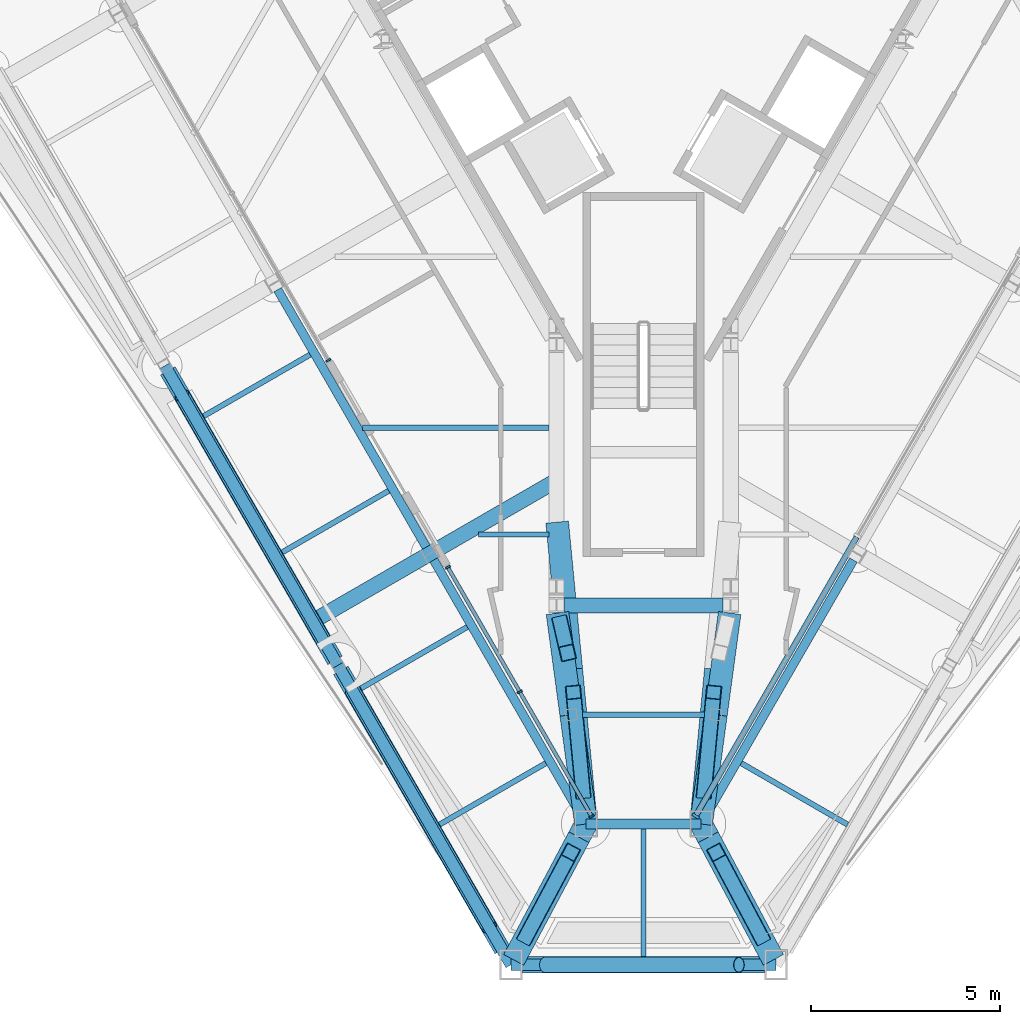
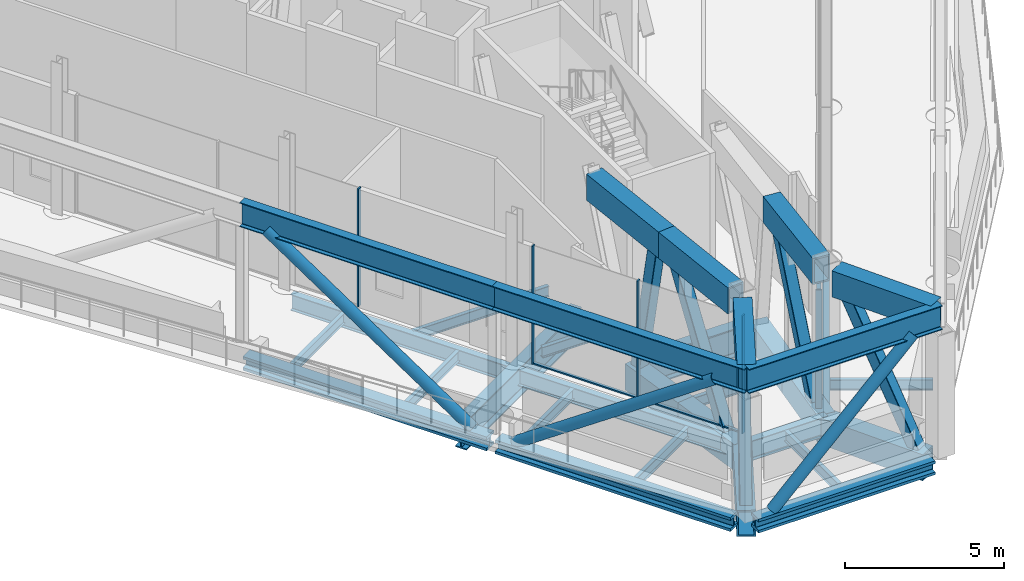
# One storey, part 5 of 25: 32 beams, 16 members, 3 elements without a shape of their own.
"""IFC4 building model written with IfcOpenShell, lengths in metres."""

from ifc_helpers import new_model, si_unit, direction, frame, origin, origin_2d, place, context, subcontext, project, spatial, rectangle, hollow_rectangle, hollow_circle, i_section, extrude, material, material_profile, profile_set, type_object, element, aggregate, save


model = new_model("IFC4")

# Units and contexts
model_context = context("Model", 3, precision=1e-05, world=origin(), true_north=direction((0.0, 1.0)))
body_context = subcontext(model_context, "Body", "Model", "MODEL_VIEW")
ifc_project = project(units=[si_unit("LENGTHUNIT", "METRE"), si_unit("AREAUNIT", "SQUARE_METRE"), si_unit("VOLUMEUNIT", "CUBIC_METRE"), si_unit("PLANEANGLEUNIT", "RADIAN"), si_unit("MASSUNIT", "GRAM", prefix="KILO")], contexts=[model_context])

# Site, building, storey
site_placement = place(None, origin())
site = spatial("IfcSite", under=ifc_project, at=site_placement, CompositionType="ELEMENT")
building_placement = place(site_placement, origin())
building = spatial("IfcBuilding", under=site, at=building_placement, Name="Verrane Prism Tower", CompositionType="ELEMENT")
storey_placement = place(building_placement, frame((0.0, 0.0, 258.199951171875)))
storey = spatial("IfcBuildingStorey", under=building, at=storey_placement, Name="L65", CompositionType="ELEMENT", Elevation=258.199951171875)

# Beams
ifc_material_1 = material(Name="Steel A992", Category="steel")
ifc_material_profile_1 = material_profile(ifc_material_1, i_section(OverallWidth=0.44189453125, OverallDepth=0.53076171875, WebThickness=0.06591796875, FlangeThickness=0.105712890625, FilletRadius=0.01513671875, at=origin_2d()), Name="W14x605")
ifc_profile_set_1 = profile_set([ifc_material_profile_1], Name="Steel A992")
beam_type_1 = type_object("IfcBeamType", Name="Belt truss chord W14x605", PredefinedType="BEAM", material=ifc_profile_set_1)
beam_1_placement = place(storey_placement, frame((-12.563720703125, -12.701904296875, -0.424560546875), z_axis=(0.500260093954, -0.865875186385, 0.0), x_axis=(0.865875186385, 0.500260093954, 0.0)))
element("IfcBeam", 1, at=beam_1_placement, inside=storey, type_object=beam_type_1, Name="Belt truss chord L65", PredefinedType="BEAM", context=body_context, shape_type="SweptSolid", body=[
    extrude(i_section(OverallWidth=0.44189453125, OverallDepth=0.53076171875, WebThickness=0.06591796875, FlangeThickness=0.105712890625, FilletRadius=0.01513671875, at=origin_2d()), origin(), (0.0, 0.0, 1.0), 8.830322265625),
])
beam_2_placement = place(storey_placement, frame((-7.993896484375, -20.612060546875, -0.424560546875), z_axis=(0.500268050635, -0.865870589357, 0.0), x_axis=(0.865870589357, 0.500268050635, 0.0)))
element("IfcBeam", 2, at=beam_2_placement, inside=storey, type_object=beam_type_1, Name="Belt truss chord L65", PredefinedType="BEAM", context=body_context, shape_type="SweptSolid", body=[
    extrude(i_section(OverallWidth=0.44189453125, OverallDepth=0.53076171875, WebThickness=0.06591796875, FlangeThickness=0.105712890625, FilletRadius=0.01513671875, at=origin_2d()), origin(), (0.0, 0.0, 1.0), 8.520751953125),
])
beam_3_placement = place(storey_placement, frame((-3.199951171875, -28.389892578125, -0.424560546875), z_axis=(1.0, 0.0, 0.0), x_axis=(0.0, 1.0, 0.0)))
element("IfcBeam", 3, at=beam_3_placement, inside=storey, type_object=beam_type_1, Name="Belt truss chord L65", PredefinedType="BEAM", context=body_context, shape_type="SweptSolid", body=[
    extrude(i_section(OverallWidth=0.44189453125, OverallDepth=0.53076171875, WebThickness=0.06591796875, FlangeThickness=0.105712890625, FilletRadius=0.01513671875, at=origin_2d()), origin(), (0.0, 0.0, 1.0), 6.39990234375),
])
ifc_material_2 = material(Name="Steel A992", Category="steel")
ifc_material_profile_2 = material_profile(ifc_material_2, i_section(OverallWidth=0.307373046875, OverallDepth=0.927001953125, WebThickness=0.01953125, FlangeThickness=0.031982421875, FilletRadius=0.01904296875, at=origin_2d()), Name="W36x194")
ifc_profile_set_2 = profile_set([ifc_material_profile_2], Name="Steel A992")
beam_type_2 = type_object("IfcBeamType", Name="Belt truss chord W36x194", PredefinedType="BEAM", material=ifc_profile_set_2)
beam_4_placement = place(storey_placement, frame((-12.639892578125, -12.570068359375, 5.176513671875), z_axis=(0.50024910089, -0.865881537543, 0.0), x_axis=(0.865881537543, 0.50024910089, 0.0)))
element("IfcBeam", 4, at=beam_4_placement, inside=storey, type_object=beam_type_2, Name="Belt truss chord L65", PredefinedType="BEAM", context=body_context, shape_type="SweptSolid", body=[
    extrude(i_section(OverallWidth=0.307373046875, OverallDepth=0.927001953125, WebThickness=0.01953125, FlangeThickness=0.031982421875, FilletRadius=0.01904296875, at=origin_2d()), origin(), (0.0, 0.0, 1.0), 9.135009765625),
])
beam_5_placement = place(storey_placement, frame((-8.070068359375, -20.47998046875, 5.176513671875), z_axis=(0.500269138002, -0.865869961116, 0.0), x_axis=(0.865869961116, 0.500269138002, 0.0)))
element("IfcBeam", 5, at=beam_5_placement, inside=storey, type_object=beam_type_2, Name="Belt truss chord L65", PredefinedType="BEAM", context=body_context, shape_type="SweptSolid", body=[
    extrude(i_section(OverallWidth=0.307373046875, OverallDepth=0.927001953125, WebThickness=0.01953125, FlangeThickness=0.031982421875, FilletRadius=0.01904296875, at=origin_2d()), origin(), (0.0, 0.0, 1.0), 9.13525390625),
])
beam_6_placement = place(storey_placement, frame((-3.5, -28.389892578125, 5.176513671875), z_axis=(1.0, 0.0, 0.0), x_axis=(0.0, 1.0, 0.0)))
element("IfcBeam", 6, at=beam_6_placement, inside=storey, type_object=beam_type_2, Name="Belt truss chord L65", PredefinedType="BEAM", context=body_context, shape_type="SweptSolid", body=[
    extrude(i_section(OverallWidth=0.307373046875, OverallDepth=0.927001953125, WebThickness=0.01953125, FlangeThickness=0.031982421875, FilletRadius=0.01904296875, at=origin_2d()), origin(), (0.0, 0.0, 1.0), 7.0),
])

# Members
ifc_material_3 = material(Name="Steel A500 Grade C", Category="steel")
ifc_material_profile_3 = material_profile(ifc_material_3, hollow_circle(Radius=0.203125, WallThickness=0.0126953125, at=origin_2d()), Name="HSS16.000x0.500")
ifc_profile_set_3 = profile_set([ifc_material_profile_3], Name="Steel A500 Grade C")
member_type_1 = type_object("IfcMemberType", Name="Belt truss diagonal HSS16.000x0.500", PredefinedType="BRACE", material=ifc_profile_set_3)
member_1_placement = place(storey_placement, frame((-2.60400390625, -28.389892578125, -0.158935546875), z_axis=(0.716553381661, 0.0, 0.6975322582), x_axis=(0.0, 1.0, 0.0)))
element("IfcMember", 7, at=member_1_placement, inside=storey, type_object=member_type_1, Name="Belt truss diagonal L65", PredefinedType="BRACE", context=body_context, shape_type="SweptSolid", body=[
    extrude(hollow_circle(Radius=0.203125, WallThickness=0.0126953125, at=origin_2d()), origin(), (0.0, 0.0, 1.0), 7.149169921875),
])
member_2_placement = place(storey_placement, frame((-8.456787109375, -19.810791015625, -0.158935546875), z_axis=(-0.415978711163, 0.719994533084, 0.555490399727), x_axis=(-0.865874517809, -0.500261251158, 0.0)))
element("IfcMember", 8, at=member_2_placement, inside=storey, type_object=member_type_1, Name="Belt truss diagonal L65", PredefinedType="BRACE", context=body_context, shape_type="SweptSolid", body=[
    extrude(hollow_circle(Radius=0.203125, WallThickness=0.0126953125, at=origin_2d()), origin(), (0.0, 0.0, 1.0), 8.977294921875),
])
member_3_placement = place(storey_placement, frame((-7.689208984375, -21.13916015625, -0.158935546875), z_axis=(0.412063789808, -0.713227900266, 0.567017985086), x_axis=(0.865877400452, 0.500256261717, 0.0)))
element("IfcMember", 9, at=member_3_placement, inside=storey, type_object=member_type_1, Name="Belt truss diagonal L65", PredefinedType="BRACE", context=body_context, shape_type="SweptSolid", body=[
    extrude(hollow_circle(Radius=0.203125, WallThickness=0.0126953125, at=origin_2d()), origin(), (0.0, 0.0, 1.0), 8.794921875),
])

# Beams
ifc_material_4 = material(Name="Steel A992", Category="steel")
ifc_material_profile_4 = material_profile(ifc_material_4, i_section(OverallWidth=0.2666015625, OverallDepth=0.7568359375, WebThickness=0.013916015625, FlangeThickness=0.019287109375, FilletRadius=0.0166015625, at=origin_2d()), Name="W30x108")
ifc_profile_set_4 = profile_set([ifc_material_profile_4], Name="Steel A992")
beam_type_3 = type_object("IfcBeamType", Name="Chamfer spandrel beam W30x108", PredefinedType="SPANDREL", material=ifc_profile_set_4)
beam_7_placement = place(storey_placement, frame((-1.52001953125, -24.669921875, -0.538330078125), z_axis=(1.0, 0.0, 0.0), x_axis=(0.0, 1.0, 0.0)))
element("IfcBeam", 10, at=beam_7_placement, inside=storey, type_object=beam_type_3, Name="Chamfer spandrel beam L65", PredefinedType="SPANDREL", context=body_context, shape_type="SweptSolid", body=[
    extrude(i_section(OverallWidth=0.2666015625, OverallDepth=0.7568359375, WebThickness=0.013916015625, FlangeThickness=0.019287109375, FilletRadius=0.0166015625, at=origin_2d()), origin(), (0.0, 0.0, 1.0), 3.0400390625),
])
ifc_material_5 = material(Name="Steel A992", Category="steel")
ifc_material_profile_5 = material_profile(ifc_material_5, i_section(OverallWidth=0.140380859375, OverallDepth=0.40380859375, WebThickness=0.007080078125, FlangeThickness=0.01123046875, FilletRadius=0.01025390625, at=origin_2d()), Name="W16x31")
ifc_profile_set_5 = profile_set([ifc_material_profile_5], Name="Steel A992")
beam_type_4 = type_object("IfcBeamType", Name="Floor beam W16x31", PredefinedType="BEAM", material=ifc_profile_set_5)
beam_8_placement = place(storey_placement, frame((-5.3857421875, -24.684326171875, -0.36181640625), z_axis=(0.866046326031, 0.499963759856, 0.0), x_axis=(-0.499963759856, 0.866046326031, 0.0)))
element("IfcBeam", 11, at=beam_8_placement, inside=storey, type_object=beam_type_4, Name="Floor beam L65", PredefinedType="BEAM", context=body_context, shape_type="SweptSolid", body=[
    extrude(i_section(OverallWidth=0.140380859375, OverallDepth=0.40380859375, WebThickness=0.007080078125, FlangeThickness=0.01123046875, FilletRadius=0.01025390625, at=origin_2d()), origin(), (0.0, 0.0, 1.0), 3.240478515625),
])
beam_9_placement = place(storey_placement, frame((-7.462646484375, -21.08935546875, -0.36181640625), z_axis=(0.86601506192, 0.500017912207, 0.0), x_axis=(-0.500017912207, 0.86601506192, 0.0)))
element("IfcBeam", 12, at=beam_9_placement, inside=storey, type_object=beam_type_4, Name="Floor beam L65", PredefinedType="BEAM", context=body_context, shape_type="SweptSolid", body=[
    extrude(i_section(OverallWidth=0.140380859375, OverallDepth=0.40380859375, WebThickness=0.007080078125, FlangeThickness=0.01123046875, FilletRadius=0.01025390625, at=origin_2d()), origin(), (0.0, 0.0, 1.0), 3.24267578125),
])
beam_10_placement = place(storey_placement, frame((-9.539794921875, -17.494384765625, -0.36181640625), z_axis=(0.866021460221, 0.500006830391, 0.0), x_axis=(-0.500006830391, 0.866021460221, 0.0)))
element("IfcBeam", 13, at=beam_10_placement, inside=storey, type_object=beam_type_4, Name="Floor beam L65", PredefinedType="BEAM", context=body_context, shape_type="SweptSolid", body=[
    extrude(i_section(OverallWidth=0.140380859375, OverallDepth=0.40380859375, WebThickness=0.007080078125, FlangeThickness=0.01123046875, FilletRadius=0.01025390625, at=origin_2d()), origin(), (0.0, 0.0, 1.0), 3.2451171875),
])
beam_11_placement = place(storey_placement, frame((-11.61669921875, -13.8994140625, -0.36181640625), z_axis=(0.865990253757, 0.500060876692, 0.0), x_axis=(-0.500060876692, 0.865990253757, 0.0)))
element("IfcBeam", 14, at=beam_11_placement, inside=storey, type_object=beam_type_4, Name="Floor beam L65", PredefinedType="BEAM", context=body_context, shape_type="SweptSolid", body=[
    extrude(i_section(OverallWidth=0.140380859375, OverallDepth=0.40380859375, WebThickness=0.007080078125, FlangeThickness=0.01123046875, FilletRadius=0.01025390625, at=origin_2d()), origin(), (0.0, 0.0, 1.0), 3.2470703125),
])
beam_12_placement = place(storey_placement, frame((-7.423095703125, -14.2099609375, -0.36181640625), z_axis=(1.0, 0.0, 0.0), x_axis=(0.0, 1.0, 0.0)))
element("IfcBeam", 15, at=beam_12_placement, inside=storey, type_object=beam_type_4, Name="Floor beam L65", PredefinedType="BEAM", context=body_context, shape_type="SweptSolid", body=[
    extrude(i_section(OverallWidth=0.140380859375, OverallDepth=0.40380859375, WebThickness=0.007080078125, FlangeThickness=0.01123046875, FilletRadius=0.01025390625, at=origin_2d()), origin(), (0.0, 0.0, 1.0), 4.921142578125),
])
beam_13_placement = place(storey_placement, frame((-4.359130859375, -17.023193359375, -0.36181640625), z_axis=(1.0, 0.0, 0.0), x_axis=(0.0, 1.0, 0.0)))
element("IfcBeam", 16, at=beam_13_placement, inside=storey, type_object=beam_type_4, Name="Floor beam L65", PredefinedType="BEAM", context=body_context, shape_type="SweptSolid", body=[
    extrude(i_section(OverallWidth=0.140380859375, OverallDepth=0.40380859375, WebThickness=0.007080078125, FlangeThickness=0.01123046875, FilletRadius=0.01025390625, at=origin_2d()), origin(), (0.0, 0.0, 1.0), 1.857177734375),
])
beam_14_placement = place(storey_placement, frame((5.3857421875, -24.684326171875, -0.36181640625), z_axis=(-0.866046326031, 0.499963759856, 0.0), x_axis=(-0.499963759856, -0.866046326031, 0.0)))
element("IfcBeam", 17, at=beam_14_placement, inside=storey, type_object=beam_type_4, Name="Floor beam L65", PredefinedType="BEAM", context=body_context, shape_type="SweptSolid", body=[
    extrude(i_section(OverallWidth=0.140380859375, OverallDepth=0.40380859375, WebThickness=0.007080078125, FlangeThickness=0.01123046875, FilletRadius=0.01025390625, at=origin_2d()), origin(), (0.0, 0.0, 1.0), 3.240478515625),
])
beam_15_placement = place(storey_placement, frame((0.0, -28.1689453125, -0.36181640625), z_axis=(0.0, 1.0, 0.0), x_axis=(-1.0, 0.0, 0.0)))
element("IfcBeam", 18, at=beam_15_placement, inside=storey, type_object=beam_type_4, Name="Floor beam L65", PredefinedType="BEAM", context=body_context, shape_type="SweptSolid", body=[
    extrude(i_section(OverallWidth=0.140380859375, OverallDepth=0.40380859375, WebThickness=0.007080078125, FlangeThickness=0.01123046875, FilletRadius=0.01025390625, at=origin_2d()), origin(), (0.0, 0.0, 1.0), 3.365478515625),
])
beam_16_placement = place(storey_placement, frame((-1.607421875, -21.784912109375, -0.36181640625), z_axis=(1.0, 0.0, 0.0), x_axis=(0.0, 1.0, 0.0)))
element("IfcBeam", 19, at=beam_16_placement, inside=storey, type_object=beam_type_4, Name="Floor beam L65", PredefinedType="BEAM", context=body_context, shape_type="SweptSolid", body=[
    extrude(i_section(OverallWidth=0.140380859375, OverallDepth=0.40380859375, WebThickness=0.007080078125, FlangeThickness=0.01123046875, FilletRadius=0.01025390625, at=origin_2d()), origin(), (0.0, 0.0, 1.0), 3.21484375),
])

# Curtain wall, member
ifc_material_6 = material(Name="Aluminium framed insulated glazing", Category="aluminium")
curtain_wall_type_1 = type_object("IfcCurtainWallType", Name="Curtain wall CW-C 4200 module", PredefinedType="NOTDEFINED", material=ifc_material_6)
curtain_wall_1_placement = place(storey_placement, origin())
curtain_wall_1 = element("IfcCurtainWall", 20, at=curtain_wall_1_placement, inside=storey, type_object=curtain_wall_type_1, Name="Refuge lounge glazing south-west face L65 2", PredefinedType="NOTDEFINED")
ifc_material_7 = material(Name="Aluminium alloy 6063-T6", Category="aluminium")
ifc_material_profile_6 = material_profile(ifc_material_7, rectangle(XDim=0.139892578125, YDim=0.050048828125, at=origin_2d()), Name="Mullion 50x140 aluminium")
ifc_profile_set_6 = profile_set([ifc_material_profile_6], Name="Aluminium alloy 6063-T6")
member_type_2 = type_object("IfcMemberType", Name="Mullion 50x140 aluminium", PredefinedType="MULLION", material=ifc_profile_set_6)
member_4_placement = place(storey_placement, frame((-8.32373046875, -12.42626953125, 0.0), z_axis=(0.0, 0.0, 1.0), x_axis=(0.866024665326, 0.500001279045, 0.0)))
member_4 = element("IfcMember", 21, at=member_4_placement, type_object=member_type_2, Name="CW65.4.2 mullion 3", PredefinedType="MULLION", context=body_context, shape_type="SweptSolid", body=[
    extrude(rectangle(XDim=0.139892578125, YDim=0.050048828125, at=origin_2d()), origin(), (0.0, 0.0, 1.0), 4.5224609375),
])
aggregate(curtain_wall_1, [member_4])

# Curtain wall, members
curtain_wall_2_placement = place(storey_placement, origin())
curtain_wall_2 = element("IfcCurtainWall", 22, at=curtain_wall_2_placement, inside=storey, type_object=curtain_wall_type_1, Name="Refuge lounge glazing south-west face L65 3", PredefinedType="NOTDEFINED")
member_5_placement = place(storey_placement, frame((-5.168701171875, -17.890869140625, 0.0), z_axis=(0.0, 0.0, 1.0), x_axis=(0.86602464995, 0.500001305678, 0.0)))
member_5 = element("IfcMember", 23, at=member_5_placement, type_object=member_type_2, Name="CW65.4.3 mullion 1", PredefinedType="MULLION", context=body_context, shape_type="SweptSolid", body=[
    extrude(rectangle(XDim=0.139892578125, YDim=0.050048828125, at=origin_2d()), origin(), (0.0, 0.0, 1.0), 4.5224609375),
])
member_6_placement = place(storey_placement, frame((-3.26953125, -21.180419921875, 0.0), z_axis=(0.0, 0.0, 1.0), x_axis=(0.86602464995, 0.500001305678, 0.0)))
member_6 = element("IfcMember", 24, at=member_6_placement, type_object=member_type_2, Name="CW65.4.3 mullion 2", PredefinedType="MULLION", context=body_context, shape_type="SweptSolid", body=[
    extrude(rectangle(XDim=0.139892578125, YDim=0.050048828125, at=origin_2d()), origin(), (0.0, 0.0, 1.0), 4.5224609375),
])
member_7_placement = place(storey_placement, frame((-1.370361328125, -24.469970703125, 0.0), z_axis=(0.0, 0.0, 1.0), x_axis=(0.86602464995, 0.500001305678, 0.0)))
member_7 = element("IfcMember", 25, at=member_7_placement, type_object=member_type_2, Name="CW65.4.3 mullion 3", PredefinedType="MULLION", context=body_context, shape_type="SweptSolid", body=[
    extrude(rectangle(XDim=0.139892578125, YDim=0.050048828125, at=origin_2d()), origin(), (0.0, 0.0, 1.0), 4.5224609375),
])

# Curtain wall, member
ifc_material_8 = material(Name="Aluminium framed insulated glazing", Category="aluminium")
curtain_wall_type_2 = type_object("IfcCurtainWallType", Name="Curtain wall CW-A 8400 module", PredefinedType="NOTDEFINED", material=ifc_material_8)
curtain_wall_3_placement = place(storey_placement, origin())
curtain_wall_3 = element("IfcCurtainWall", 26, at=curtain_wall_3_placement, inside=storey, type_object=curtain_wall_type_2, Name="Refuge lounge glazing south-east face L65 1", PredefinedType="NOTDEFINED")
ifc_material_9 = material(Name="Aluminium alloy 6063-T6", Category="aluminium")
ifc_material_profile_7 = material_profile(ifc_material_9, rectangle(XDim=0.199951171875, YDim=0.070068359375, at=origin_2d()), Name="Mullion 70x200 aluminium")
ifc_profile_set_7 = profile_set([ifc_material_profile_7], Name="Aluminium alloy 6063-T6")
member_type_3 = type_object("IfcMemberType", Name="Mullion 70x200 aluminium", PredefinedType="MULLION", material=ifc_profile_set_7)
member_8_placement = place(storey_placement, frame((1.37548828125, -24.461181640625, 0.0), z_axis=(0.0, 0.0, 1.0), x_axis=(-0.866026683082, 0.499997784185, 0.0)))
member_8 = element("IfcMember", 27, at=member_8_placement, type_object=member_type_3, Name="CW65.6.1 mullion 1", PredefinedType="MULLION", context=body_context, shape_type="SweptSolid", body=[
    extrude(rectangle(XDim=0.199951171875, YDim=0.070068359375, at=origin_2d()), origin(), (0.0, 0.0, 1.0), 4.5224609375),
])

# Beams
ifc_material_10 = material(Name="Steel A572 Grade 50", Category="steel")
ifc_material_profile_8 = material_profile(ifc_material_10, hollow_rectangle(XDim=0.60009765625, YDim=1.0, WallThickness=0.06005859375, at=origin_2d()), Name="BOX 1000x600x60")
ifc_profile_set_8 = profile_set([ifc_material_profile_8], Name="Steel A572 Grade 50")
beam_type_5 = type_object("IfcBeamType", Name="Outrigger truss chord BOX 1000x600x60", PredefinedType="BEAM", material=ifc_profile_set_8)
beam_17_placement = place(storey_placement, frame((-3.287109375, -27.989990234375, -0.659912109375), z_axis=(0.469840107035, 0.882751535723, 0.0), x_axis=(-0.882751535723, 0.469840107035, 0.0)))
element("IfcBeam", 28, at=beam_17_placement, inside=storey, type_object=beam_type_5, Name="Outrigger truss chord L65", PredefinedType="BEAM", context=body_context, shape_type="SweptSolid", body=[
    extrude(hollow_rectangle(XDim=0.60009765625, YDim=1.0, WallThickness=0.06005859375, at=origin_2d()), origin(), (0.0, 0.0, 1.0), 3.760986328125),
])
beam_18_placement = place(storey_placement, frame((-1.52001953125, -24.669921875, -0.659912109375), z_axis=(-0.133926799511, 0.990991227193, 0.0), x_axis=(-0.990991227193, -0.133926799511, 0.0)))
element("IfcBeam", 29, at=beam_18_placement, inside=storey, type_object=beam_type_5, Name="Outrigger truss chord L65", PredefinedType="BEAM", context=body_context, shape_type="SweptSolid", body=[
    extrude(hollow_rectangle(XDim=0.60009765625, YDim=1.0, WallThickness=0.06005859375, at=origin_2d()), origin(), (0.0, 0.0, 1.0), 2.9111328125),
])
beam_19_placement = place(storey_placement, frame((-1.909912109375, -21.784912109375, -0.659912109375), z_axis=(-0.133963328452, 0.990986289829, 0.0), x_axis=(-0.990986289829, -0.133963328452, 0.0)))
element("IfcBeam", 30, at=beam_19_placement, inside=storey, type_object=beam_type_5, Name="Outrigger truss chord L65", PredefinedType="BEAM", context=body_context, shape_type="SweptSolid", body=[
    extrude(hollow_rectangle(XDim=0.60009765625, YDim=1.0, WallThickness=0.06005859375, at=origin_2d()), origin(), (0.0, 0.0, 1.0), 2.7099609375),
])
beam_20_placement = place(storey_placement, frame((-3.429443359375, -28.257568359375, 5.14013671875), z_axis=(0.469834858323, 0.882754329304, 0.0), x_axis=(-0.882754329304, 0.469834858323, 0.0)))
element("IfcBeam", 31, at=beam_20_placement, inside=storey, type_object=beam_type_5, Name="Outrigger truss chord L65", PredefinedType="BEAM", context=body_context, shape_type="SweptSolid", body=[
    extrude(hollow_rectangle(XDim=0.60009765625, YDim=1.0, WallThickness=0.06005859375, at=origin_2d()), origin(), (0.0, 0.0, 1.0), 3.66748046875),
])
beam_21_placement = place(storey_placement, frame((-1.553466796875, -24.320068359375, 5.14013671875), z_axis=(-0.094999470008, 0.995477323046, 0.0), x_axis=(-0.995477323046, -0.094999470008, 0.0)))
element("IfcBeam", 32, at=beam_21_placement, inside=storey, type_object=beam_type_5, Name="Outrigger truss chord L65", PredefinedType="BEAM", context=body_context, shape_type="SweptSolid", body=[
    extrude(hollow_rectangle(XDim=0.60009765625, YDim=1.0, WallThickness=0.06005859375, at=origin_2d()), origin(), (0.0, 0.0, 1.0), 3.752197265625),
])
beam_22_placement = place(storey_placement, frame((-1.909912109375, -20.5849609375, 5.14013671875), z_axis=(-0.09507474755, 0.995470136357, 0.0), x_axis=(-0.995470136357, -0.09507474755, 0.0)))
element("IfcBeam", 33, at=beam_22_placement, inside=storey, type_object=beam_type_5, Name="Outrigger truss chord L65", PredefinedType="BEAM", context=body_context, shape_type="SweptSolid", body=[
    extrude(hollow_rectangle(XDim=0.60009765625, YDim=1.0, WallThickness=0.06005859375, at=origin_2d()), origin(), (0.0, 0.0, 1.0), 3.903076171875),
])
beam_23_placement = place(storey_placement, frame((3.287109375, -27.989990234375, -0.659912109375), z_axis=(-0.469840107035, 0.882751535723, 0.0), x_axis=(-0.882751535723, -0.469840107035, 0.0)))
element("IfcBeam", 34, at=beam_23_placement, inside=storey, type_object=beam_type_5, Name="Outrigger truss chord L65", PredefinedType="BEAM", context=body_context, shape_type="SweptSolid", body=[
    extrude(hollow_rectangle(XDim=0.60009765625, YDim=1.0, WallThickness=0.06005859375, at=origin_2d()), origin(), (0.0, 0.0, 1.0), 3.760986328125),
])
beam_24_placement = place(storey_placement, frame((1.52001953125, -24.669921875, -0.659912109375), z_axis=(0.133926799511, 0.990991227193, 0.0), x_axis=(-0.990991227193, 0.133926799511, 0.0)))
element("IfcBeam", 35, at=beam_24_placement, inside=storey, type_object=beam_type_5, Name="Outrigger truss chord L65", PredefinedType="BEAM", context=body_context, shape_type="SweptSolid", body=[
    extrude(hollow_rectangle(XDim=0.60009765625, YDim=1.0, WallThickness=0.06005859375, at=origin_2d()), origin(), (0.0, 0.0, 1.0), 2.9111328125),
])
beam_25_placement = place(storey_placement, frame((1.909912109375, -21.784912109375, -0.659912109375), z_axis=(0.133963328452, 0.990986289829, 0.0), x_axis=(-0.990986289829, 0.133963328452, 0.0)))
element("IfcBeam", 36, at=beam_25_placement, inside=storey, type_object=beam_type_5, Name="Outrigger truss chord L65", PredefinedType="BEAM", context=body_context, shape_type="SweptSolid", body=[
    extrude(hollow_rectangle(XDim=0.60009765625, YDim=1.0, WallThickness=0.06005859375, at=origin_2d()), origin(), (0.0, 0.0, 1.0), 2.7099609375),
])
beam_26_placement = place(storey_placement, frame((3.429443359375, -28.257568359375, 5.14013671875), z_axis=(-0.469834858323, 0.882754329304, 0.0), x_axis=(-0.882754329304, -0.469834858323, 0.0)))
element("IfcBeam", 37, at=beam_26_placement, inside=storey, type_object=beam_type_5, Name="Outrigger truss chord L65", PredefinedType="BEAM", context=body_context, shape_type="SweptSolid", body=[
    extrude(hollow_rectangle(XDim=0.60009765625, YDim=1.0, WallThickness=0.06005859375, at=origin_2d()), origin(), (0.0, 0.0, 1.0), 3.66748046875),
])
beam_27_placement = place(storey_placement, frame((1.553466796875, -24.320068359375, 5.14013671875), z_axis=(0.094999470008, 0.995477323046, 0.0), x_axis=(-0.995477323046, 0.094999470008, 0.0)))
element("IfcBeam", 38, at=beam_27_placement, inside=storey, type_object=beam_type_5, Name="Outrigger truss chord L65", PredefinedType="BEAM", context=body_context, shape_type="SweptSolid", body=[
    extrude(hollow_rectangle(XDim=0.60009765625, YDim=1.0, WallThickness=0.06005859375, at=origin_2d()), origin(), (0.0, 0.0, 1.0), 3.752197265625),
])

# Members
ifc_material_11 = material(Name="Steel A500 Grade C", Category="steel")
ifc_material_profile_9 = material_profile(ifc_material_11, hollow_rectangle(XDim=0.406494140625, YDim=0.406494140625, WallThickness=0.01904296875, InnerFilletRadius=0.009521484375, OuterFilletRadius=0.028564453125, at=origin_2d()), Name="HSS16x16x3/4")
ifc_profile_set_9 = profile_set([ifc_material_profile_9], Name="Steel A500 Grade C")
member_type_4 = type_object("IfcMemberType", Name="Outrigger truss diagonal HSS16x16x3/4", PredefinedType="BRACE", material=ifc_profile_set_9)
member_9_placement = place(storey_placement, frame((-3.101318359375, -27.64111328125, -0.219970703125), z_axis=(0.213990112539, 0.402092899325, 0.890241277434), x_axis=(-0.882771412458, 0.469802760047, 0.0)))
element("IfcMember", 39, at=member_9_placement, inside=storey, type_object=member_type_4, Name="Outrigger truss diagonal L65", PredefinedType="BRACE", context=body_context, shape_type="SweptSolid", body=[
    extrude(hollow_rectangle(XDim=0.406494140625, YDim=0.406494140625, WallThickness=0.01904296875, InnerFilletRadius=0.009521484375, OuterFilletRadius=0.028564453125, at=origin_2d()), origin(), (0.0, 0.0, 1.0), 5.526611328125),
])
member_10_placement = place(storey_placement, frame((-1.6015625, -23.815185546875, -0.219970703125), z_axis=(-0.044842425197, 0.469817369946, 0.881623953735), x_axis=(-0.995475870368, -0.095014691045, 0.0)))
element("IfcMember", 40, at=member_10_placement, inside=storey, type_object=member_type_4, Name="Outrigger truss diagonal L65", PredefinedType="BRACE", context=body_context, shape_type="SweptSolid", body=[
    extrude(hollow_rectangle(XDim=0.406494140625, YDim=0.406494140625, WallThickness=0.01904296875, InnerFilletRadius=0.009521484375, OuterFilletRadius=0.028564453125, at=origin_2d()), origin(), (0.0, 0.0, 1.0), 5.58056640625),
])
member_11_placement = place(storey_placement, frame((-2.1884765625, -19.381591796875, -0.219970703125), z_axis=(0.035718529414, -0.154290328019, 0.987379704742), x_axis=(0.97423453232, 0.225537305196, 0.0)))
element("IfcMember", 41, at=member_11_placement, inside=storey, type_object=member_type_4, Name="Outrigger truss diagonal L65", PredefinedType="BRACE", context=body_context, shape_type="SweptSolid", body=[
    extrude(hollow_rectangle(XDim=0.406494140625, YDim=0.406494140625, WallThickness=0.01904296875, InnerFilletRadius=0.009521484375, OuterFilletRadius=0.028564453125, at=origin_2d()), origin(), (0.0, 0.0, 1.0), 4.98291015625),
])
member_12_placement = place(storey_placement, frame((3.101318359375, -27.64111328125, -0.219970703125), z_axis=(-0.213990112539, 0.402092899325, 0.890241277434), x_axis=(-0.882771412458, -0.469802760047, 0.0)))
element("IfcMember", 42, at=member_12_placement, inside=storey, type_object=member_type_4, Name="Outrigger truss diagonal L65", PredefinedType="BRACE", context=body_context, shape_type="SweptSolid", body=[
    extrude(hollow_rectangle(XDim=0.406494140625, YDim=0.406494140625, WallThickness=0.01904296875, InnerFilletRadius=0.009521484375, OuterFilletRadius=0.028564453125, at=origin_2d()), origin(), (0.0, 0.0, 1.0), 5.526611328125),
])
member_13_placement = place(storey_placement, frame((1.6015625, -23.815185546875, -0.219970703125), z_axis=(0.044842425197, 0.469817369946, 0.881623953735), x_axis=(-0.995475870368, 0.095014691045, 0.0)))
element("IfcMember", 43, at=member_13_placement, inside=storey, type_object=member_type_4, Name="Outrigger truss diagonal L65", PredefinedType="BRACE", context=body_context, shape_type="SweptSolid", body=[
    extrude(hollow_rectangle(XDim=0.406494140625, YDim=0.406494140625, WallThickness=0.01904296875, InnerFilletRadius=0.009521484375, OuterFilletRadius=0.028564453125, at=origin_2d()), origin(), (0.0, 0.0, 1.0), 5.58056640625),
])

# Beams
ifc_material_12 = material(Name="Steel A992", Category="steel")
ifc_material_profile_10 = material_profile(ifc_material_12, i_section(OverallWidth=0.23046875, OverallDepth=0.6171875, WebThickness=0.01318359375, FlangeThickness=0.022216796875, FilletRadius=0.012939453125, at=origin_2d()), Name="W24x94")
ifc_profile_set_10 = profile_set([ifc_material_profile_10], Name="Steel A992")
beam_type_6 = type_object("IfcBeamType", Name="Spandrel beam W24x94", PredefinedType="SPANDREL", material=ifc_profile_set_10)
beam_28_placement = place(storey_placement, frame((-9.66162109375, -10.560546875, -0.468505859375), z_axis=(0.499798737888, -0.866141571341, 0.0), x_axis=(0.866141571341, 0.499798737888, 0.0)))
element("IfcBeam", 44, at=beam_28_placement, inside=storey, type_object=beam_type_6, Name="Spandrel beam L65", PredefinedType="SPANDREL", context=body_context, shape_type="SweptSolid", body=[
    extrude(i_section(OverallWidth=0.23046875, OverallDepth=0.6171875, WebThickness=0.01318359375, FlangeThickness=0.022216796875, FilletRadius=0.012939453125, at=origin_2d()), origin(), (0.0, 0.0, 1.0), 7.849853515625),
])
for number, where, z_axis, x_axis, name in (
    (45, (-5.54150390625, -17.700439453125, -0.468505859375), (0.499777762154, -0.86615367485, 0.0), (0.86615367485, 0.499777762154, 0.0), "Spandrel beam L65"),
    (46, (1.721923828125, -24.320068359375, -0.468505859375), (0.499777762154, 0.86615367485, 0.0), (-0.86615367485, 0.499777762154, 0.0), "Spandrel beam L65"),
):
    element("IfcBeam", number, at=place(storey_placement, frame(where, z_axis=z_axis, x_axis=x_axis)), inside=storey, type_object=beam_type_6, Name=name, PredefinedType="SPANDREL", context=body_context, shape_type="SweptSolid", body=[
        extrude(i_section(OverallWidth=0.23046875, OverallDepth=0.6171875, WebThickness=0.01318359375, FlangeThickness=0.022216796875, FilletRadius=0.012939453125, at=origin_2d()), origin(), (0.0, 0.0, 1.0), 7.642578125),
    ])
ifc_material_13 = material(Name="Steel A992", Category="steel")
ifc_material_profile_11 = material_profile(ifc_material_13, i_section(OverallWidth=0.40380859375, OverallDepth=1.11767578125, WebThickness=0.026123046875, FlangeThickness=0.044921875, FilletRadius=0.02001953125, at=origin_2d()), Name="W44x335")
ifc_profile_set_11 = profile_set([ifc_material_profile_11], Name="Steel A992")
beam_type_7 = type_object("IfcBeamType", Name="Transfer girder W44x335", PredefinedType="BEAM", material=ifc_profile_set_11)
beam_29_placement = place(storey_placement, frame((-2.099365234375, -18.89990234375, -0.808837890625), z_axis=(1.0, 0.0, 0.0), x_axis=(0.0, 1.0, 0.0)))
element("IfcBeam", 47, at=beam_29_placement, inside=storey, type_object=beam_type_7, Name="Transfer girder L65", PredefinedType="BEAM", context=body_context, shape_type="SweptSolid", body=[
    extrude(i_section(OverallWidth=0.40380859375, OverallDepth=1.11767578125, WebThickness=0.026123046875, FlangeThickness=0.044921875, FilletRadius=0.02001953125, at=origin_2d()), origin(), (0.0, 0.0, 1.0), 4.19873046875),
])
beam_30_placement = place(storey_placement, frame((-8.549560546875, -19.209716796875, -0.71875), z_axis=(0.866040231828, 0.499974316195, 0.0), x_axis=(-0.499974316195, 0.866040231828, 0.0)))
element("IfcBeam", 48, at=beam_30_placement, inside=storey, type_object=beam_type_7, Name="Transfer girder L65", PredefinedType="BEAM", context=body_context, shape_type="SweptSolid", body=[
    extrude(i_section(OverallWidth=0.40380859375, OverallDepth=1.11767578125, WebThickness=0.026123046875, FlangeThickness=0.044921875, FilletRadius=0.02001953125, at=origin_2d()), origin(), (0.0, 0.0, 1.0), 7.21630859375),
])

# Member
ifc_material_14 = material(Name="Aluminium alloy 6063-T6", Category="aluminium")
ifc_material_profile_12 = material_profile(ifc_material_14, rectangle(XDim=0.10009765625, YDim=0.050048828125, at=origin_2d()), Name="Transom 50x100 aluminium")
ifc_profile_set_12 = profile_set([ifc_material_profile_12], Name="Aluminium alloy 6063-T6")
member_type_5 = type_object("IfcMemberType", Name="Transom 50x100 aluminium", PredefinedType="USERDEFINED", material=ifc_profile_set_12)
member_14_placement = place(storey_placement, frame((-5.15625, -17.91259765625, 0.025146484375), z_axis=(0.500026907266, -0.86600986831, 0.0), x_axis=(0.86600986831, 0.500026907266, 0.0)))
member_14 = element("IfcMember", 49, at=member_14_placement, type_object=member_type_5, Name="CW65.4.3 transom 1", ObjectType="TRANSOM", PredefinedType="USERDEFINED", context=body_context, shape_type="SweptSolid", body=[
    extrude(rectangle(XDim=0.10009765625, YDim=0.050048828125, at=origin_2d()), origin(), (0.0, 0.0, 1.0), 3.748291015625),
])

member_15_placement = place(storey_placement, frame((-3.257080078125, -21.2021484375, 0.025146484375), z_axis=(0.500026907266, -0.86600986831, 0.0), x_axis=(0.86600986831, 0.500026907266, 0.0)))
member_15 = element("IfcMember", 50, at=member_15_placement, type_object=member_type_5, Name="CW65.4.3 transom 2", ObjectType="TRANSOM", PredefinedType="USERDEFINED", context=body_context, shape_type="SweptSolid", body=[
    extrude(rectangle(XDim=0.10009765625, YDim=0.050048828125, at=origin_2d()), origin(), (0.0, 0.0, 1.0), 3.748291015625),
])

aggregate(curtain_wall_2, [member_5, member_6, member_7, member_14, member_15])

ifc_material_15 = material(Name="Aluminium alloy 6063-T6", Category="aluminium")
ifc_material_profile_13 = material_profile(ifc_material_15, rectangle(XDim=0.14990234375, YDim=0.070068359375, at=origin_2d()), Name="Transom 70x150 aluminium")
ifc_profile_set_13 = profile_set([ifc_material_profile_13], Name="Aluminium alloy 6063-T6")
member_type_6 = type_object("IfcMemberType", Name="Transom 70x150 aluminium", PredefinedType="USERDEFINED", material=ifc_profile_set_13)
member_16_placement = place(storey_placement, frame((1.392822265625, -24.430908203125, 0.03515625), z_axis=(0.499994330524, 0.866028677033, 0.0), x_axis=(-0.866028677033, 0.499994330524, 0.0)))
member_16 = element("IfcMember", 51, at=member_16_placement, type_object=member_type_6, Name="CW65.6.1 transom 1", ObjectType="TRANSOM", PredefinedType="USERDEFINED", context=body_context, shape_type="SweptSolid", body=[
    extrude(rectangle(XDim=0.14990234375, YDim=0.070068359375, at=origin_2d()), origin(), (0.0, 0.0, 1.0), 8.47265625),
])

aggregate(curtain_wall_3, [member_8, member_16])

save(model, "model.ifc")
